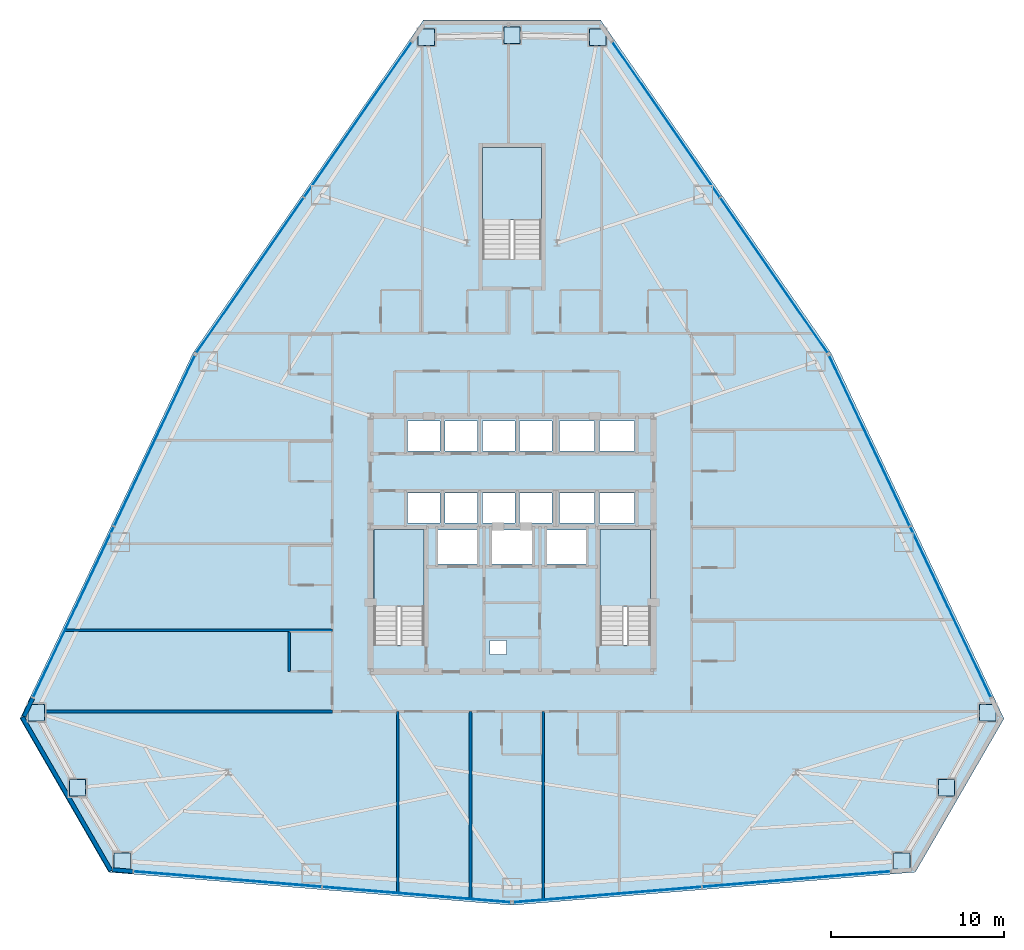
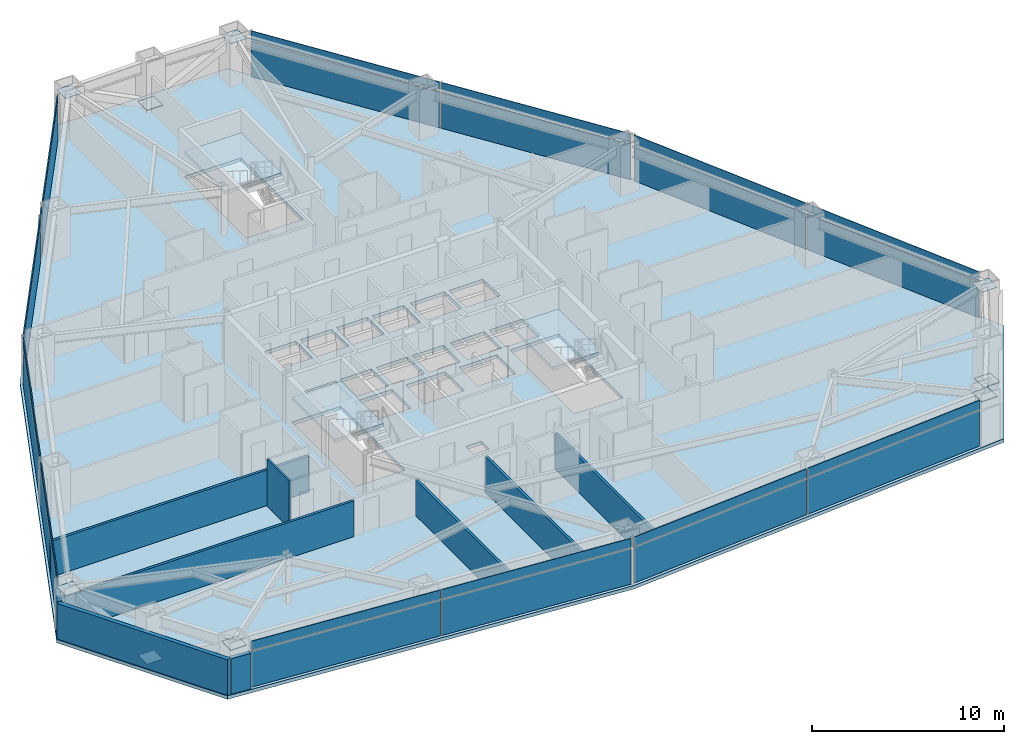
# One storey, part 8 of 13: 33 plates, 9 walls, 4 slabs, 9 elements without a shape of their own.
"""IFC4 building model written with IfcOpenShell, lengths in metres."""

import ifcopenshell
import ifcopenshell.guid

model = None  # the IFC model being written
_history = None  # IfcOwnerHistory: only IFC2X3 demands one
_inside = {}  # id of a spatial element -> (the spatial element, [elements in it])
_under = {}  # id of a project, library or spatial element -> (it, [spatial elements below it])
_declared = {}  # id of a project -> (the project, [libraries it declares])
_typed = {}  # id of a type object -> (the type object, [elements of that type])
_made_of = {}  # id of a material, layer set ... -> (it, [elements and type objects made of it])


def new_model(schema):
    """Start an empty IFC model of exactly this schema.

    Asked for "IFC4X3", IfcOpenShell would pick the latest addendum, in which some entities
    have other attributes; the version numbers below select the first issue.
    IFC2X3 requires an IfcOwnerHistory on every rooted entity: one is made here for all.
    """
    global model, _history
    if schema == "IFC4X3":
        model = ifcopenshell.file(schema_version=(4, 3, 0, 0))
    else:
        model = ifcopenshell.file(schema=schema)
    _inside.clear()
    _under.clear()
    _declared.clear()
    _typed.clear()
    _made_of.clear()
    _history = None
    if model.schema == "IFC2X3":
        org = make("IfcOrganization", Name="unknown")
        user = make(
            "IfcPersonAndOrganization",
            ThePerson=make("IfcPerson", FamilyName="unknown"),
            TheOrganization=org,
        )
        app = make(
            "IfcApplication",
            ApplicationDeveloper=org,
            Version="unknown",
            ApplicationFullName="unknown",
            ApplicationIdentifier="unknown",
        )
        _history = make(
            "IfcOwnerHistory",
            OwningUser=user,
            OwningApplication=app,
            ChangeAction="ADDED",
            CreationDate=0,
        )
    return model


def make(cls, **values):
    """One entity of the class cls with the attributes given. An attribute that is None is left unset."""
    return model.create_entity(
        cls, **{name: value for name, value in values.items() if value is not None}
    )


def rooted(cls, **values):
    """An entity with a GlobalId (a new one), such as an element, a storey or a relation."""
    return make(cls, GlobalId=ifcopenshell.guid.new(), OwnerHistory=_history, **values)


def si_unit(unit_type, name, prefix=None):
    """IfcSIUnit, for example si_unit("LENGTHUNIT", "METRE", prefix="MILLI")."""
    return make("IfcSIUnit", UnitType=unit_type, Prefix=prefix, Name=name)


def assignment(units):
    """IfcUnitAssignment: the units of a project."""
    return None if units is None else make("IfcUnitAssignment", Units=units)


def point(xyz):
    """IfcCartesianPoint."""
    return None if xyz is None else make("IfcCartesianPoint", Coordinates=xyz)


def direction(xyz):
    """IfcDirection."""
    return None if xyz is None else make("IfcDirection", DirectionRatios=xyz)


def frame(location, z_axis=None, x_axis=None):
    """IfcAxis2Placement3D, a coordinate frame: its origin and axes. An axis left out is left unset."""
    return make(
        "IfcAxis2Placement3D",
        Location=point(location),
        Axis=direction(z_axis),
        RefDirection=direction(x_axis),
    )


def frame_2d(location, x_axis=None):
    """IfcAxis2Placement2D, a coordinate frame in the plane: its origin and x axis."""
    return make(
        "IfcAxis2Placement2D", Location=point(location), RefDirection=direction(x_axis)
    )


def origin():
    """The frame at (0, 0, 0) with its axes left unset."""
    return frame((0.0, 0.0, 0.0))


def origin_2d():
    """The frame at (0, 0) in the plane with its x axis left unset."""
    return frame_2d((0.0, 0.0))


def place(relative_to, where):
    """IfcLocalPlacement: puts the frame where relative to a parent placement (None: the world)."""
    return make(
        "IfcLocalPlacement", PlacementRelTo=relative_to, RelativePlacement=where
    )


def context(
    kind, dimensions, precision=None, world=None, true_north=None, identifier=None
):
    """IfcGeometricRepresentationContext, for example the 3D "Model" context."""
    return make(
        "IfcGeometricRepresentationContext",
        ContextIdentifier=identifier,
        ContextType=kind,
        CoordinateSpaceDimension=dimensions,
        Precision=precision,
        WorldCoordinateSystem=world,
        TrueNorth=true_north,
    )


def subcontext(parent, identifier, kind, view, scale=None):
    """IfcGeometricRepresentationSubContext, for example "Body" below "Model"."""
    return make(
        "IfcGeometricRepresentationSubContext",
        ContextIdentifier=identifier,
        ContextType=kind,
        ParentContext=parent,
        TargetScale=scale,
        TargetView=view,
    )


def project(units=None, contexts=None):
    """IfcProject with its units and contexts."""
    return rooted(
        "IfcProject",
        Name="project",
        RepresentationContexts=contexts,
        UnitsInContext=assignment(units),
    )


def spatial(cls, under=None, at=None, **own):
    """A site, building, storey or space (cls), placed at a placement, below another one or the project."""
    s = rooted(cls, ObjectPlacement=at, **own)
    if under is not None:
        _under.setdefault(under.id(), (under, []))[1].append(s)
    return s


def polyline(points):
    """IfcPolyline through the points."""
    return make("IfcPolyline", Points=[point(p) for p in points])


def profile(cls, at=None, kind="AREA", **sizes):
    """A parametric profile (cls). Its sizes go by their IFC names, for example OverallWidth=200.0."""
    return make(cls, ProfileType=kind, Position=at, **sizes)


def rectangle(**sizes):
    """IfcRectangleProfileDef."""
    return profile("IfcRectangleProfileDef", **sizes)


def outline(outer, holes=None, kind="AREA"):
    """IfcArbitraryClosedProfileDef: a profile drawn as a closed curve; with holes, ...WithVoids."""
    if holes is None:
        return make("IfcArbitraryClosedProfileDef", ProfileType=kind, OuterCurve=outer)
    return make(
        "IfcArbitraryProfileDefWithVoids",
        ProfileType=kind,
        OuterCurve=outer,
        InnerCurves=holes,
    )


def extrude(swept, where, along, depth):
    """IfcExtrudedAreaSolid: the profile swept, set in the frame where, extruded along a direction by depth."""
    return make(
        "IfcExtrudedAreaSolid",
        SweptArea=swept,
        Position=where,
        ExtrudedDirection=direction(along),
        Depth=depth,
    )


def shape(context_of_items, identifier, shape_type, items):
    """IfcShapeRepresentation: the items that make up one representation, for example the "Body"."""
    return make(
        "IfcShapeRepresentation",
        ContextOfItems=context_of_items,
        RepresentationIdentifier=identifier,
        RepresentationType=shape_type,
        Items=items,
    )


def source(mapping_origin, context_of_items, identifier, shape_type, items):
    """IfcRepresentationMap: a shape defined once, which mapped items show again and again."""
    return make(
        "IfcRepresentationMap",
        MappingOrigin=mapping_origin,
        MappedRepresentation=shape(context_of_items, identifier, shape_type, items),
    )


def transform(
    local_origin,
    x_axis=None,
    y_axis=None,
    z_axis=None,
    scale=None,
    scale2=None,
    scale3=None,
    uniform=True,
):
    """IfcCartesianTransformationOperator3D, or its non-uniform kind. x_axis, y_axis, z_axis: its Axis1, 2, 3."""
    if uniform:
        return make(
            "IfcCartesianTransformationOperator3D",
            Axis1=direction(x_axis),
            Axis2=direction(y_axis),
            LocalOrigin=point(local_origin),
            Scale=scale,
            Axis3=direction(z_axis),
        )
    return make(
        "IfcCartesianTransformationOperator3DnonUniform",
        Axis1=direction(x_axis),
        Axis2=direction(y_axis),
        LocalOrigin=point(local_origin),
        Scale=scale,
        Axis3=direction(z_axis),
        Scale2=scale2,
        Scale3=scale3,
    )


def mapped(mapping_source, mapping_target):
    """IfcMappedItem: shows the shape of a source again, moved by a transform."""
    return make(
        "IfcMappedItem", MappingSource=mapping_source, MappingTarget=mapping_target
    )


def material(Name=None, Category=None):
    """IfcMaterial."""
    return make("IfcMaterial", Name=Name, Category=Category)


def layer(
    of_material, thickness, ventilated=None, Name=None, Category=None, Priority=None
):
    """IfcMaterialLayer: one layer of a wall or slab, of a material (None: an air gap)."""
    return make(
        "IfcMaterialLayer",
        Material=of_material,
        LayerThickness=thickness,
        IsVentilated=ventilated,
        Name=Name,
        Category=Category,
        Priority=Priority,
    )


def layer_set(layers, Name=None):
    """IfcMaterialLayerSet."""
    return make("IfcMaterialLayerSet", MaterialLayers=layers, LayerSetName=Name)


def made_of(thing, what):
    """Note that an element or type object is made of a material, layer set ...; save() writes the relation."""
    if what is not None:
        _made_of.setdefault(what.id(), (what, []))[1].append(thing)
    return thing


def type_object(cls, material=None, **own):
    """A type object (cls), such as IfcWallType, which elements share."""
    return made_of(rooted(cls, **own), material)


def type_shapes(of_type, sources):
    """Give a type object the sources (RepresentationMaps) that its elements show as mapped items."""
    of_type.RepresentationMaps = sources


def element(
    cls,
    number,
    at=None,
    inside=None,
    cuts=None,
    type_object=None,
    material=None,
    context=None,
    identifier="Body",
    shape_type=None,
    held_by="IfcProductDefinitionShape",
    body=None,
    shapes=None,
    **own,
):
    """One element of the class cls, such as IfcWall. Its Tag is "e" and its number.

    at: its placement. inside: the storey or other place that contains it. cuts: it is an
    opening in that element (IfcRelVoidsElement). A single representation is given by context,
    identifier, shape_type and body (its items); several are given by shapes. held_by: the class
    of the entity that holds the representations. save() writes the other relations.
    """
    e = rooted(cls, Tag="e%d" % number, ObjectPlacement=at, **own)
    if body is not None:
        shapes = [shape(context, identifier, shape_type, body)]
    if shapes is not None:
        e.Representation = make(held_by, Representations=shapes)
    if inside is not None:
        _inside.setdefault(inside.id(), (inside, []))[1].append(e)
    if cuts is not None:
        rooted(
            "IfcRelVoidsElement", RelatingBuildingElement=cuts, RelatedOpeningElement=e
        )
    if type_object is not None:
        _typed.setdefault(type_object.id(), (type_object, []))[1].append(e)
    return made_of(e, material)


def aggregate(whole, parts):
    """IfcRelAggregates: a whole, such as a stair, and the parts it consists of."""
    return rooted("IfcRelAggregates", RelatingObject=whole, RelatedObjects=parts)


def save(model, path):
    """Write the relations noted so far, then the file.

    IfcRelAggregates (storeys below a building ...), IfcRelContainedInSpatialStructure (elements
    in a storey), IfcRelDefinesByType, IfcRelAssociatesMaterial and IfcRelDeclares: one each for
    every whole, place, type object, material and project.
    """
    for whole, parts in _under.values():
        aggregate(whole, parts)
    for where, things in _inside.values():
        rooted(
            "IfcRelContainedInSpatialStructure",
            RelatedElements=things,
            RelatingStructure=where,
        )
    for kind, things in _typed.values():
        rooted("IfcRelDefinesByType", RelatedObjects=things, RelatingType=kind)
    for what, things in _made_of.values():
        rooted("IfcRelAssociatesMaterial", RelatedObjects=things, RelatingMaterial=what)
    for by, libraries in _declared.values():
        rooted("IfcRelDeclares", RelatingContext=by, RelatedDefinitions=libraries)
    model.write(path)


model = new_model("IFC4")

# Units and contexts
model_context = context("Model", 3, precision=1e-05, world=origin(), true_north=direction((0.0, 1.0)))
body_context = subcontext(model_context, "Body", "Model", "MODEL_VIEW")
ifc_project = project(units=[si_unit("LENGTHUNIT", "METRE"), si_unit("AREAUNIT", "SQUARE_METRE"), si_unit("VOLUMEUNIT", "CUBIC_METRE"), si_unit("PLANEANGLEUNIT", "RADIAN"), si_unit("MASSUNIT", "GRAM", prefix="KILO")], contexts=[model_context])

# Site, building, storey
site_placement = place(None, origin())
site = spatial("IfcSite", under=ifc_project, at=site_placement, CompositionType="ELEMENT")
building_placement = place(site_placement, origin())
building = spatial("IfcBuilding", under=site, at=building_placement, Name="Varakhsha Concourse Tower", CompositionType="ELEMENT")
storey_placement = place(building_placement, frame((0.0, 0.0, 49.60009765625)))
storey = spatial("IfcBuildingStorey", under=building, at=storey_placement, Name="L13", CompositionType="ELEMENT", Elevation=49.60009765625)

# Slab
ifc_material_1 = material(Name="Concrete fc 45 MPa", Category="concrete")
ifc_layer_1 = layer(ifc_material_1, 0.219970703125, Name="SL-FLR-220")
ifc_layer_set_1 = layer_set([ifc_layer_1], Name="Concrete fc 45 MPa")
slab_type_1 = type_object("IfcSlabType", Name="SL-FLR-220", PredefinedType="FLOOR", material=ifc_layer_set_1)
slab_1_placement = place(storey_placement, frame((0.0, 0.0, -0.22021484375)))
element("IfcSlab", 1, at=slab_1_placement, inside=storey, type_object=slab_type_1, Name="L13 Composite Structural Slab", PredefinedType="FLOOR", context=body_context, shape_type="SweptSolid", body=[
    extrude(outline(polyline([(45.12841796875, 54.1171875), (34.87158203125, 54.1171875), (21.54248046875, 34.8564453125), (11.52685546875, 13.682861328125), (16.6552734375, 4.800048828125), (40.0, 2.88720703125), (63.3447265625, 4.800048828125), (68.47314453125, 13.682861328125), (58.45751953125, 34.8564453125), (45.12841796875, 54.1171875)]), holes=[polyline([(34.919921875, 17.93994140625), (34.919921875, 24.6298828125), (32.0, 24.6298828125), (32.0, 17.93994140625), (34.919921875, 17.93994140625)]), polyline([(48.02001953125, 17.93994140625), (48.02001953125, 24.6298828125), (45.10009765625, 24.6298828125), (45.10009765625, 17.93994140625), (48.02001953125, 17.93994140625)]), polyline([(41.699951171875, 40.300048828125), (41.699951171875, 46.75), (38.300048828125, 46.75), (38.300048828125, 40.300048828125), (41.699951171875, 40.300048828125)]), polyline([(33.9599609375, 29.159912109375), (35.840087890625, 29.159912109375), (35.840087890625, 30.89990234375), (33.9599609375, 30.89990234375), (33.9599609375, 29.159912109375)]), polyline([(36.1201171875, 29.159912109375), (38.0, 29.159912109375), (38.0, 30.89990234375), (36.1201171875, 30.89990234375), (36.1201171875, 29.159912109375)]), polyline([(38.280029296875, 29.159912109375), (40.159912109375, 29.159912109375), (40.159912109375, 30.89990234375), (38.280029296875, 30.89990234375), (38.280029296875, 29.159912109375)]), polyline([(40.43994140625, 29.159912109375), (42.320068359375, 29.159912109375), (42.320068359375, 30.89990234375), (40.43994140625, 30.89990234375), (40.43994140625, 29.159912109375)]), polyline([(33.9599609375, 25.0), (35.840087890625, 25.0), (35.840087890625, 26.739990234375), (33.9599609375, 26.739990234375), (33.9599609375, 25.0)]), polyline([(36.1201171875, 25.0), (38.0, 25.0), (38.0, 26.739990234375), (36.1201171875, 26.739990234375), (36.1201171875, 25.0)]), polyline([(38.280029296875, 25.0), (40.159912109375, 25.0), (40.159912109375, 26.739990234375), (38.280029296875, 26.739990234375), (38.280029296875, 25.0)]), polyline([(40.43994140625, 25.0), (42.320068359375, 25.0), (42.320068359375, 26.739990234375), (40.43994140625, 26.739990234375), (40.43994140625, 25.0)]), polyline([(42.739990234375, 29.159912109375), (44.780029296875, 29.159912109375), (44.780029296875, 30.89990234375), (42.739990234375, 30.89990234375), (42.739990234375, 29.159912109375)]), polyline([(45.06005859375, 29.159912109375), (47.10009765625, 29.159912109375), (47.10009765625, 30.89990234375), (45.06005859375, 30.89990234375), (45.06005859375, 29.159912109375)]), polyline([(42.739990234375, 25.0), (44.780029296875, 25.0), (44.780029296875, 26.739990234375), (42.739990234375, 26.739990234375), (42.739990234375, 25.0)]), polyline([(45.06005859375, 25.0), (47.10009765625, 25.0), (47.10009765625, 26.739990234375), (45.06005859375, 26.739990234375), (45.06005859375, 25.0)]), polyline([(35.7099609375, 22.639892578125), (37.989990234375, 22.639892578125), (37.989990234375, 24.60009765625), (35.7099609375, 24.60009765625), (35.7099609375, 22.639892578125)]), polyline([(42.010009765625, 22.639892578125), (44.2900390625, 22.639892578125), (44.2900390625, 24.60009765625), (42.010009765625, 24.60009765625), (42.010009765625, 22.639892578125)]), polyline([(38.81005859375, 22.639892578125), (41.18994140625, 22.639892578125), (41.18994140625, 24.60009765625), (38.81005859375, 24.60009765625), (38.81005859375, 22.639892578125)]), polyline([(38.719970703125, 17.39990234375), (39.679931640625, 17.39990234375), (39.679931640625, 18.199951171875), (38.719970703125, 18.199951171875), (38.719970703125, 17.39990234375)])]), origin(), (0.0, 0.0, 1.0), 0.22021484375),
])

# Stair, slab
stair_type_1 = type_object("IfcStairType", Name="ST-DOGLEG-1360", PredefinedType="HALF_TURN_STAIR", material=ifc_material_1)
stair_1_placement = place(storey_placement, origin())
stair_1 = element("IfcStair", 2, at=stair_1_placement, inside=storey, type_object=stair_type_1, Name="L13 Protected Exit Stair ST1", PredefinedType="HALF_TURN_STAIR")
ifc_layer_2 = layer(ifc_material_1, 0.199951171875, Name="SL-LAND-200")
ifc_layer_set_2 = layer_set([ifc_layer_2], Name="Concrete fc 45 MPa")
slab_type_2 = type_object("IfcSlabType", Name="SL-LAND-200", PredefinedType="LANDING", material=ifc_layer_set_2)
slab_2_placement = place(storey_placement, frame((0.0, 0.0, 1.39990234375)))
slab_2 = element("IfcSlab", 3, at=slab_2_placement, type_object=slab_type_2, Name="ST1 landing 1", PredefinedType="LANDING", context=body_context, shape_type="SweptSolid", body=[
    extrude(outline(polyline([(34.919921875, 20.179931640625), (34.919921875, 24.6298828125), (32.0, 24.6298828125), (32.0, 20.179931640625), (34.919921875, 20.179931640625)])), origin(), (0.0, 0.0, 1.0), 0.199951171875),
])
aggregate(stair_1, [slab_2])

stair_2_placement = place(storey_placement, origin())
stair_2 = element("IfcStair", 4, at=stair_2_placement, inside=storey, type_object=stair_type_1, Name="L13 Protected Exit Stair ST2", PredefinedType="HALF_TURN_STAIR")
slab_3_placement = place(storey_placement, frame((0.0, 0.0, 1.39990234375)))
slab_3 = element("IfcSlab", 5, at=slab_3_placement, type_object=slab_type_2, Name="ST2 landing 1", PredefinedType="LANDING", context=body_context, shape_type="SweptSolid", body=[
    extrude(outline(polyline([(48.02001953125, 20.179931640625), (48.02001953125, 24.6298828125), (45.10009765625, 24.6298828125), (45.10009765625, 20.179931640625), (48.02001953125, 20.179931640625)])), origin(), (0.0, 0.0, 1.0), 0.199951171875),
])
aggregate(stair_2, [slab_3])

stair_type_2 = type_object("IfcStairType", Name="ST-DOGLEG-1600", PredefinedType="HALF_TURN_STAIR", material=ifc_material_1)
stair_3_placement = place(storey_placement, origin())
stair_3 = element("IfcStair", 6, at=stair_3_placement, inside=storey, type_object=stair_type_2, Name="L13 Protected Exit Stair ST5", PredefinedType="HALF_TURN_STAIR")
slab_4_placement = place(storey_placement, frame((0.0, 0.0, 1.39990234375)))
slab_4 = element("IfcSlab", 7, at=slab_4_placement, type_object=slab_type_2, Name="ST5 landing 1", PredefinedType="LANDING", context=body_context, shape_type="SweptSolid", body=[
    extrude(outline(polyline([(41.699951171875, 42.5400390625), (41.699951171875, 46.75), (38.300048828125, 46.75), (38.300048828125, 42.5400390625), (41.699951171875, 42.5400390625)])), origin(), (0.0, 0.0, 1.0), 0.199951171875),
])
aggregate(stair_3, [slab_4])

# Plates
ifc_material_2 = material(Name="Structural Steel ASTM A572 Grade 50", Category="steel")
ifc_layer_3 = layer(ifc_material_2, 0.030029296875, Name="PL-ENDCAP-950")
ifc_layer_set_3 = layer_set([ifc_layer_3], Name="Structural Steel ASTM A572 Grade 50")
plate_type_1 = type_object("IfcPlateType", Name="PL-ENDCAP-950", PredefinedType="USERDEFINED", material=ifc_layer_set_3)
shared_shape_1 = source(origin(), body_context, "Body", "SweptSolid", [
    extrude(rectangle(XDim=0.949951171875, YDim=0.949951171875, at=origin_2d()), origin(), (0.0, 0.0, 1.0), 0.030029296875),
])
type_shapes(plate_type_1, [shared_shape_1])
for number, where, z_axis, x_axis, name in (
    (8, (40.0, 53.237060546875, 0.10498046875), (0.0, 0.0, 1.0), (1.0, 0.0, 0.0), "Hollow Section End Cap GP-NODE-L13-0082"),
    (9, (44.95751953125, 53.11962890625, 2.6650390625), (0.0, 0.0, 1.0), (1.0, 0.0, 0.0), "Hollow Section End Cap GP-NODE-L13-0083"),
    (10, (35.04248046875, 53.11962890625, 2.6650390625), (0.0, 0.0, 1.0), (1.0, 0.0, 0.0), "Hollow Section End Cap GP-NODE-L13-0084"),
    (11, (14.853271484375, 9.681396484375, 0.10498046875), (0.0, 0.0, 1.0), (1.0, 0.0, 0.0), "Hollow Section End Cap GP-NODE-L13-0085"),
    (12, (12.47607421875, 14.033447265625, 2.6650390625), (0.0, 0.0, 1.0), (1.0, 0.0, 0.0), "Hollow Section End Cap GP-NODE-L13-0086"),
    (13, (17.43359375, 5.44677734375, 2.6650390625), (0.0, 0.0, 1.0), (1.0, 0.0, 0.0), "Hollow Section End Cap GP-NODE-L13-0087"),
    (14, (65.146728515625, 9.681396484375, 0.10498046875), (0.0, 0.0, 1.0), (1.0, 0.0, 0.0), "Hollow Section End Cap GP-NODE-L13-0088"),
    (15, (62.56640625, 5.44677734375, 2.6650390625), (0.0, 0.0, 1.0), (1.0, 0.0, 0.0), "Hollow Section End Cap GP-NODE-L13-0089"),
    (16, (67.52392578125, 14.033447265625, 2.6650390625), (0.0, 0.0, 1.0), (1.0, 0.0, 0.0), "Hollow Section End Cap GP-NODE-L13-0090"),
):
    element("IfcPlate", number, at=place(storey_placement, frame(where, z_axis=z_axis, x_axis=x_axis)), inside=storey, type_object=plate_type_1, Name=name, ObjectType="END PLATE", PredefinedType="USERDEFINED", context=body_context, shape_type="MappedRepresentation", body=[
        mapped(shared_shape_1, transform((0.0, 0.0, 0.0), scale=1.0)),
    ])

# Curtain wall, plate
ifc_material_3 = material(Name="Anodised Bronze Architectural Aluminium AA 6063-T6", Category="aluminium")
ifc_layer_4 = layer(ifc_material_3, 0.219970703125, Name="CW-SYS-02")
ifc_layer_set_4 = layer_set([ifc_layer_4], Name="Anodised Bronze Architectural Aluminium AA 6063-T6")
curtain_wall_type = type_object("IfcCurtainWallType", Name="CW-SYS-02", PredefinedType="NOTDEFINED", material=ifc_layer_set_4)
curtain_wall_1_placement = place(storey_placement, origin())
curtain_wall_1 = element("IfcCurtainWall", 17, at=curtain_wall_1_placement, inside=storey, type_object=curtain_wall_type, Name="L13 Crystal Curtain Wall F2", PredefinedType="NOTDEFINED")
ifc_material_4 = material(Name="Low-E Triple Insulating Glass IGU 44 mm", Category="glass")
ifc_layer_5 = layer(ifc_material_4, 0.0439453125, Name="CWP-IGU-44")
ifc_layer_set_5 = layer_set([ifc_layer_5], Name="Low-E Triple Insulating Glass IGU 44 mm")
plate_type_2 = type_object("IfcPlateType", Name="CWP-IGU-44", PredefinedType="CURTAIN_PANEL", material=ifc_layer_set_5)
shared_shape_2 = source(origin(), body_context, "Body", "SweptSolid", [
    extrude(rectangle(XDim=10.88232421875, YDim=0.0439453125, at=origin_2d()), origin(), (0.0, 0.0, 1.0), 2.260986328125),
])
plate_1_placement = place(storey_placement, frame((24.83837890625, 39.337890625, 0.0341796875), z_axis=(0.0, 0.0, 1.0), x_axis=(0.569057091236, 0.822298015877, 0.0)))
plate_1 = element("IfcPlate", 18, at=plate_1_placement, type_object=plate_type_2, Name="CW-L13-F2 Panel 00-00", PredefinedType="CURTAIN_PANEL", context=body_context, shape_type="MappedRepresentation", body=[
    mapped(shared_shape_2, transform((0.0, 0.0, 0.0), scale=1.0)),
])

# Curtain wall, plates
curtain_wall_2_placement = place(storey_placement, origin())
curtain_wall_2 = element("IfcCurtainWall", 19, at=curtain_wall_2_placement, inside=storey, type_object=curtain_wall_type, Name="L13 Crystal Curtain Wall F3", PredefinedType="NOTDEFINED")
plate_2_placement = place(storey_placement, frame((14.622314453125, 19.8525390625, 0.0341796875), z_axis=(0.0, 0.0, 1.0), x_axis=(0.427604003332, 0.903966158844, 0.0)))
plate_2 = element("IfcPlate", 20, at=plate_2_placement, type_object=plate_type_2, Name="CW-L13-F3 Panel 00-00", PredefinedType="CURTAIN_PANEL", context=body_context, shape_type="MappedRepresentation", body=[
    mapped(shared_shape_2, transform((0.0, 0.0, 0.0), scale=1.0)),
])
plate_3_placement = place(storey_placement, frame((19.309326171875, 29.76123046875, 0.0341796875), z_axis=(0.0, 0.0, 1.0), x_axis=(0.427604003332, 0.903966158844, 0.0)))
plate_3 = element("IfcPlate", 21, at=plate_3_placement, type_object=plate_type_2, Name="CW-L13-F3 Panel 01-00", PredefinedType="CURTAIN_PANEL", context=body_context, shape_type="MappedRepresentation", body=[
    mapped(shared_shape_2, transform((0.0, 0.0, 0.0), scale=1.0)),
])

# Curtain wall, plate
curtain_wall_3_placement = place(storey_placement, origin())
curtain_wall_3 = element("IfcCurtainWall", 22, at=curtain_wall_3_placement, inside=storey, type_object=curtain_wall_type, Name="L13 Crystal Curtain Wall F5", PredefinedType="NOTDEFINED")
plate_4_placement = place(storey_placement, frame((34.470947265625, 3.500732421875, 0.0341796875), z_axis=(0.0, 0.0, 1.0), x_axis=(-0.996659944452, 0.081663670777, 0.0)))
plate_4 = element("IfcPlate", 23, at=plate_4_placement, type_object=plate_type_2, Name="CW-L13-F5 Panel 00-00", PredefinedType="CURTAIN_PANEL", context=body_context, shape_type="MappedRepresentation", body=[
    mapped(shared_shape_2, transform((0.0, 0.0, 0.0), scale=1.0)),
])

curtain_wall_4_placement = place(storey_placement, origin())
curtain_wall_4 = element("IfcCurtainWall", 24, at=curtain_wall_4_placement, inside=storey, type_object=curtain_wall_type, Name="L13 Crystal Curtain Wall F6", PredefinedType="NOTDEFINED")
plate_5_placement = place(storey_placement, frame((56.4541015625, 4.39599609375, 0.0341796875), z_axis=(0.0, 0.0, 1.0), x_axis=(-0.996659944452, -0.081663670777, 0.0)))
plate_5 = element("IfcPlate", 25, at=plate_5_placement, type_object=plate_type_2, Name="CW-L13-F6 Panel 00-00", PredefinedType="CURTAIN_PANEL", context=body_context, shape_type="MappedRepresentation", body=[
    mapped(shared_shape_2, transform((0.0, 0.0, 0.0), scale=1.0)),
])

# Curtain wall, plates
curtain_wall_5_placement = place(storey_placement, origin())
curtain_wall_5 = element("IfcCurtainWall", 26, at=curtain_wall_5_placement, inside=storey, type_object=curtain_wall_type, Name="L13 Crystal Curtain Wall F8", PredefinedType="NOTDEFINED")
plate_6_placement = place(storey_placement, frame((60.690673828125, 29.76123046875, 0.0341796875), z_axis=(0.0, 0.0, 1.0), x_axis=(0.427604003332, -0.903966158844, 0.0)))
plate_6 = element("IfcPlate", 27, at=plate_6_placement, type_object=plate_type_2, Name="CW-L13-F8 Panel 00-00", PredefinedType="CURTAIN_PANEL", context=body_context, shape_type="MappedRepresentation", body=[
    mapped(shared_shape_2, transform((0.0, 0.0, 0.0), scale=1.0)),
])
plate_7_placement = place(storey_placement, frame((65.377685546875, 19.8525390625, 0.0341796875), z_axis=(0.0, 0.0, 1.0), x_axis=(0.427604003332, -0.903966158844, 0.0)))
plate_7 = element("IfcPlate", 28, at=plate_7_placement, type_object=plate_type_2, Name="CW-L13-F8 Panel 01-00", PredefinedType="CURTAIN_PANEL", context=body_context, shape_type="MappedRepresentation", body=[
    mapped(shared_shape_2, transform((0.0, 0.0, 0.0), scale=1.0)),
])

# Curtain wall, plate
curtain_wall_6_placement = place(storey_placement, origin())
curtain_wall_6 = element("IfcCurtainWall", 29, at=curtain_wall_6_placement, inside=storey, type_object=curtain_wall_type, Name="L13 Crystal Curtain Wall F9", PredefinedType="NOTDEFINED")
plate_8_placement = place(storey_placement, frame((48.923828125, 48.3515625, 0.0341796875), z_axis=(0.0, 0.0, 1.0), x_axis=(0.569057091236, -0.822298015877, 0.0)))
plate_8 = element("IfcPlate", 30, at=plate_8_placement, type_object=plate_type_2, Name="CW-L13-F9 Panel 00-00", PredefinedType="CURTAIN_PANEL", context=body_context, shape_type="MappedRepresentation", body=[
    mapped(shared_shape_2, transform((0.0, 0.0, 0.0), scale=1.0)),
])

# Plate
ifc_material_5 = material(Name="Glazed Turquoise-Bronze Ceramic Spandrel Panel 38 mm", Category="ceramic")
ifc_layer_6 = layer(ifc_material_5, 0.0380859375, Name="CWP-SPN-38")
ifc_layer_set_6 = layer_set([ifc_layer_6], Name="Glazed Turquoise-Bronze Ceramic Spandrel Panel 38 mm")
plate_type_3 = type_object("IfcPlateType", Name="CWP-SPN-38", PredefinedType="USERDEFINED", material=ifc_layer_set_6)
shared_shape_3 = source(origin(), body_context, "Body", "SweptSolid", [
    extrude(rectangle(XDim=10.88232421875, YDim=0.0380859375, at=origin_2d()), origin(), (0.0, 0.0, 1.0), 0.5810546875),
])
plate_9_placement = place(storey_placement, frame((24.83837890625, 39.337890625, 2.3642578125), z_axis=(0.0, 0.0, 1.0), x_axis=(0.569057091236, 0.822298015877, 0.0)))
plate_9 = element("IfcPlate", 31, at=plate_9_placement, type_object=plate_type_3, Name="CW-L13-F2 Panel 00-01", ObjectType="SPANDREL", PredefinedType="USERDEFINED", context=body_context, shape_type="MappedRepresentation", body=[
    mapped(shared_shape_3, transform((0.0, 0.0, 0.0), scale=1.0)),
])

plate_10_placement = place(storey_placement, frame((14.622314453125, 19.8525390625, 2.3642578125), z_axis=(0.0, 0.0, 1.0), x_axis=(0.427604003332, 0.903966158844, 0.0)))
plate_10 = element("IfcPlate", 32, at=plate_10_placement, type_object=plate_type_3, Name="CW-L13-F3 Panel 00-01", ObjectType="SPANDREL", PredefinedType="USERDEFINED", context=body_context, shape_type="MappedRepresentation", body=[
    mapped(shared_shape_3, transform((0.0, 0.0, 0.0), scale=1.0)),
])

plate_11_placement = place(storey_placement, frame((19.309326171875, 29.76123046875, 2.3642578125), z_axis=(0.0, 0.0, 1.0), x_axis=(0.427604003332, 0.903966158844, 0.0)))
plate_11 = element("IfcPlate", 33, at=plate_11_placement, type_object=plate_type_3, Name="CW-L13-F3 Panel 01-01", ObjectType="SPANDREL", PredefinedType="USERDEFINED", context=body_context, shape_type="MappedRepresentation", body=[
    mapped(shared_shape_3, transform((0.0, 0.0, 0.0), scale=1.0)),
])

aggregate(curtain_wall_2, [plate_2, plate_10, plate_3, plate_11])

plate_12_placement = place(storey_placement, frame((34.470947265625, 3.500732421875, 2.3642578125), z_axis=(0.0, 0.0, 1.0), x_axis=(-0.996659944452, 0.081663670777, 0.0)))
plate_12 = element("IfcPlate", 34, at=plate_12_placement, type_object=plate_type_3, Name="CW-L13-F5 Panel 00-01", ObjectType="SPANDREL", PredefinedType="USERDEFINED", context=body_context, shape_type="MappedRepresentation", body=[
    mapped(shared_shape_3, transform((0.0, 0.0, 0.0), scale=1.0)),
])

plate_13_placement = place(storey_placement, frame((56.4541015625, 4.39599609375, 2.3642578125), z_axis=(0.0, 0.0, 1.0), x_axis=(-0.996659944452, -0.081663670777, 0.0)))
plate_13 = element("IfcPlate", 35, at=plate_13_placement, type_object=plate_type_3, Name="CW-L13-F6 Panel 00-01", ObjectType="SPANDREL", PredefinedType="USERDEFINED", context=body_context, shape_type="MappedRepresentation", body=[
    mapped(shared_shape_3, transform((0.0, 0.0, 0.0), scale=1.0)),
])

plate_14_placement = place(storey_placement, frame((60.690673828125, 29.76123046875, 2.3642578125), z_axis=(0.0, 0.0, 1.0), x_axis=(0.427604003332, -0.903966158844, 0.0)))
plate_14 = element("IfcPlate", 36, at=plate_14_placement, type_object=plate_type_3, Name="CW-L13-F8 Panel 00-01", ObjectType="SPANDREL", PredefinedType="USERDEFINED", context=body_context, shape_type="MappedRepresentation", body=[
    mapped(shared_shape_3, transform((0.0, 0.0, 0.0), scale=1.0)),
])

plate_15_placement = place(storey_placement, frame((65.377685546875, 19.8525390625, 2.3642578125), z_axis=(0.0, 0.0, 1.0), x_axis=(0.427604003332, -0.903966158844, 0.0)))
plate_15 = element("IfcPlate", 37, at=plate_15_placement, type_object=plate_type_3, Name="CW-L13-F8 Panel 01-01", ObjectType="SPANDREL", PredefinedType="USERDEFINED", context=body_context, shape_type="MappedRepresentation", body=[
    mapped(shared_shape_3, transform((0.0, 0.0, 0.0), scale=1.0)),
])

aggregate(curtain_wall_5, [plate_6, plate_14, plate_7, plate_15])

plate_16_placement = place(storey_placement, frame((48.923828125, 48.3515625, 2.3642578125), z_axis=(0.0, 0.0, 1.0), x_axis=(0.569057091236, -0.822298015877, 0.0)))
plate_16 = element("IfcPlate", 38, at=plate_16_placement, type_object=plate_type_3, Name="CW-L13-F9 Panel 00-01", ObjectType="SPANDREL", PredefinedType="USERDEFINED", context=body_context, shape_type="MappedRepresentation", body=[
    mapped(shared_shape_3, transform((0.0, 0.0, 0.0), scale=1.0)),
])

shared_shape_4 = source(origin(), body_context, "Body", "SweptSolid", [
    extrude(rectangle(XDim=10.882568359375, YDim=0.0439453125, at=origin_2d()), origin(), (0.0, 0.0, 1.0), 2.260986328125),
])
type_shapes(plate_type_2, [shared_shape_2, shared_shape_4])
plate_17_placement = place(storey_placement, frame((31.076171875, 48.3515625, 0.0341796875), z_axis=(0.0, 0.0, 1.0), x_axis=(0.569057091236, 0.822298015877, 0.0)))
plate_17 = element("IfcPlate", 39, at=plate_17_placement, type_object=plate_type_2, Name="CW-L13-F2 Panel 01-00", PredefinedType="CURTAIN_PANEL", context=body_context, shape_type="MappedRepresentation", body=[
    mapped(shared_shape_4, transform((0.0, 0.0, 0.0), scale=1.0)),
])

plate_18_placement = place(storey_placement, frame((23.546142578125, 4.39599609375, 0.0341796875), z_axis=(0.0, 0.0, 1.0), x_axis=(-0.996659944452, 0.081663670777, 0.0)))
plate_18 = element("IfcPlate", 40, at=plate_18_placement, type_object=plate_type_2, Name="CW-L13-F5 Panel 01-00", PredefinedType="CURTAIN_PANEL", context=body_context, shape_type="MappedRepresentation", body=[
    mapped(shared_shape_4, transform((0.0, 0.0, 0.0), scale=1.0)),
])

plate_19_placement = place(storey_placement, frame((45.529296875, 3.500732421875, 0.0341796875), z_axis=(0.0, 0.0, 1.0), x_axis=(-0.996659944452, -0.081663670777, 0.0)))
plate_19 = element("IfcPlate", 41, at=plate_19_placement, type_object=plate_type_2, Name="CW-L13-F6 Panel 01-00", PredefinedType="CURTAIN_PANEL", context=body_context, shape_type="MappedRepresentation", body=[
    mapped(shared_shape_4, transform((0.0, 0.0, 0.0), scale=1.0)),
])

plate_20_placement = place(storey_placement, frame((55.16162109375, 39.337890625, 0.0341796875), z_axis=(0.0, 0.0, 1.0), x_axis=(0.569057091236, -0.822298015877, 0.0)))
plate_20 = element("IfcPlate", 42, at=plate_20_placement, type_object=plate_type_2, Name="CW-L13-F9 Panel 01-00", PredefinedType="CURTAIN_PANEL", context=body_context, shape_type="MappedRepresentation", body=[
    mapped(shared_shape_4, transform((0.0, 0.0, 0.0), scale=1.0)),
])

shared_shape_5 = source(origin(), body_context, "Body", "SweptSolid", [
    extrude(rectangle(XDim=10.882568359375, YDim=0.0380859375, at=origin_2d()), origin(), (0.0, 0.0, 1.0), 0.5810546875),
])
type_shapes(plate_type_3, [shared_shape_3, shared_shape_5])
plate_21_placement = place(storey_placement, frame((31.076171875, 48.3515625, 2.3642578125), z_axis=(0.0, 0.0, 1.0), x_axis=(0.569057091236, 0.822298015877, 0.0)))
plate_21 = element("IfcPlate", 43, at=plate_21_placement, type_object=plate_type_3, Name="CW-L13-F2 Panel 01-01", ObjectType="SPANDREL", PredefinedType="USERDEFINED", context=body_context, shape_type="MappedRepresentation", body=[
    mapped(shared_shape_5, transform((0.0, 0.0, 0.0), scale=1.0)),
])

aggregate(curtain_wall_1, [plate_1, plate_9, plate_17, plate_21])

plate_22_placement = place(storey_placement, frame((23.546142578125, 4.39599609375, 2.3642578125), z_axis=(0.0, 0.0, 1.0), x_axis=(-0.996659944452, 0.081663670777, 0.0)))
plate_22 = element("IfcPlate", 44, at=plate_22_placement, type_object=plate_type_3, Name="CW-L13-F5 Panel 01-01", ObjectType="SPANDREL", PredefinedType="USERDEFINED", context=body_context, shape_type="MappedRepresentation", body=[
    mapped(shared_shape_5, transform((0.0, 0.0, 0.0), scale=1.0)),
])

aggregate(curtain_wall_3, [plate_4, plate_12, plate_18, plate_22])

plate_23_placement = place(storey_placement, frame((45.529296875, 3.500732421875, 2.3642578125), z_axis=(0.0, 0.0, 1.0), x_axis=(-0.996659944452, -0.081663670777, 0.0)))
plate_23 = element("IfcPlate", 45, at=plate_23_placement, type_object=plate_type_3, Name="CW-L13-F6 Panel 01-01", ObjectType="SPANDREL", PredefinedType="USERDEFINED", context=body_context, shape_type="MappedRepresentation", body=[
    mapped(shared_shape_5, transform((0.0, 0.0, 0.0), scale=1.0)),
])

aggregate(curtain_wall_4, [plate_5, plate_13, plate_19, plate_23])

plate_24_placement = place(storey_placement, frame((55.16162109375, 39.337890625, 2.3642578125), z_axis=(0.0, 0.0, 1.0), x_axis=(0.569057091236, -0.822298015877, 0.0)))
plate_24 = element("IfcPlate", 46, at=plate_24_placement, type_object=plate_type_3, Name="CW-L13-F9 Panel 01-01", ObjectType="SPANDREL", PredefinedType="USERDEFINED", context=body_context, shape_type="MappedRepresentation", body=[
    mapped(shared_shape_5, transform((0.0, 0.0, 0.0), scale=1.0)),
])

aggregate(curtain_wall_6, [plate_8, plate_16, plate_20, plate_24])

# Walls
ifc_layer_7 = layer(ifc_material_1, 0.239990234375, Name="WL-EXT-CRN-240")
ifc_layer_set_7 = layer_set([ifc_layer_7], Name="Concrete fc 45 MPa")
wall_type_1 = type_object("IfcWallType", Name="WL-EXT-CRN-240", PredefinedType="SHEAR", material=ifc_layer_set_7)
wall_1_placement = place(storey_placement, frame((12.2626953125, 14.8642578125, 0.0), z_axis=(0.0, 0.0, 1.0), x_axis=(-0.42778841273, -0.903878904463, 0.0)))
element("IfcWall", 47, at=wall_1_placement, inside=storey, type_object=wall_type_1, Name="L13 Wind-Corner Shoulder Wall F3", PredefinedType="SHEAR", context=body_context, shape_type="SweptSolid", body=[
    extrude(rectangle(XDim=1.16259765625, YDim=0.239990234375, at=frame_2d((0.581298828125, 0.0))), origin(), (0.0, 0.0, 1.0), 2.262939453125),
])
wall_2_placement = place(storey_placement, frame((16.7939453125, 4.8798828125, 0.0), z_axis=(0.0, 0.0, 1.0), x_axis=(-0.50000197177, 0.86602426538, 0.0)))
element("IfcWall", 48, at=wall_2_placement, inside=storey, type_object=wall_type_1, Name="L13 Chamfer Wind-Corner Insulated Wall F4", PredefinedType="SHEAR", context=body_context, shape_type="SweptSolid", body=[
    extrude(rectangle(XDim=10.25732421875, YDim=0.239990234375, at=frame_2d((5.128662109375, 0.0))), origin(), (0.0, 0.0, 1.0), 2.262939453125),
])
wall_3_placement = place(storey_placement, frame((16.8876953125, 4.94140625, 0.0), z_axis=(0.0, 0.0, 1.0), x_axis=(0.996673482789, -0.081498274251, 0.0)))
element("IfcWall", 49, at=wall_3_placement, inside=storey, type_object=wall_type_1, Name="L13 Wind-Corner Shoulder Wall F5", PredefinedType="SHEAR", context=body_context, shape_type="SweptSolid", body=[
    extrude(rectangle(XDim=1.162353515625, YDim=0.239990234375, at=frame_2d((0.5810546875, 0.0))), origin(), (0.0, 0.0, 1.0), 2.262939453125),
])
ifc_material_6 = material(Name="Acoustic Gypsum Board Partition Assembly", Category="gypsum")
ifc_layer_8 = layer(ifc_material_6, 0.1201171875, Name="WL-PART-120")
ifc_layer_set_8 = layer_set([ifc_layer_8], Name="Acoustic Gypsum Board Partition Assembly")
wall_type_2 = type_object("IfcWallType", Name="WL-PART-120", PredefinedType="PARTITIONING", material=ifc_layer_set_8)
wall_4_placement = place(storey_placement, frame((27.110107421875, 16.409912109375, 0.0), z_axis=(0.0, 0.0, 1.0), x_axis=(0.0, 1.0, 0.0)))
element("IfcWall", 50, at=wall_4_placement, inside=storey, type_object=wall_type_2, Name="L13 Wall ENSW-W-L13-H06", PredefinedType="PARTITIONING", context=body_context, shape_type="SweptSolid", body=[
    extrude(rectangle(XDim=2.280029296875, YDim=0.1201171875, at=frame_2d((1.14013671875, 0.0))), origin(), (0.0, 0.0, 1.0), 2.97998046875),
])
ifc_material_7 = material(Name="Fire-Rated Type X Gypsum Partition Assembly", Category="gypsum")
ifc_layer_9 = layer(ifc_material_7, 0.14990234375, Name="WL-PART-150")
ifc_layer_set_9 = layer_set([ifc_layer_9], Name="Fire-Rated Type X Gypsum Partition Assembly")
wall_type_3 = type_object("IfcWallType", Name="WL-PART-150", PredefinedType="PARTITIONING", material=ifc_layer_set_9)
wall_5_placement = place(storey_placement, frame((33.39990234375, 3.593505859375, 0.0), z_axis=(0.0, 0.0, 1.0), x_axis=(0.0, 1.0, 0.0)))
element("IfcWall", 51, at=wall_5_placement, inside=storey, type_object=wall_type_3, Name="L13 Wall HDIV-S1-L13", PredefinedType="PARTITIONING", context=body_context, shape_type="SweptSolid", body=[
    extrude(rectangle(XDim=10.506591796875, YDim=0.14990234375, at=frame_2d((5.25341796875, 0.0))), origin(), (0.0, 0.0, 1.0), 2.267822265625),
])
wall_6_placement = place(storey_placement, frame((37.60009765625, 3.24951171875, 0.0), z_axis=(0.0, 0.0, 1.0), x_axis=(0.0, 1.0, 0.0)))
element("IfcWall", 52, at=wall_6_placement, inside=storey, type_object=wall_type_3, Name="L13 Wall HDIV-S2-L13", PredefinedType="PARTITIONING", context=body_context, shape_type="SweptSolid", body=[
    extrude(rectangle(XDim=10.8505859375, YDim=0.14990234375, at=frame_2d((5.42529296875, 0.0))), origin(), (0.0, 0.0, 1.0), 2.267822265625),
])
wall_7_placement = place(storey_placement, frame((41.800048828125, 3.2001953125, 0.0), z_axis=(0.0, 0.0, 1.0), x_axis=(0.0, 1.0, 0.0)))
element("IfcWall", 53, at=wall_7_placement, inside=storey, type_object=wall_type_3, Name="L13 Wall HDIV-S3-L13", PredefinedType="PARTITIONING", context=body_context, shape_type="SweptSolid", body=[
    extrude(rectangle(XDim=10.89990234375, YDim=0.14990234375, at=frame_2d((5.449951171875, 0.0))), origin(), (0.0, 0.0, 1.0), 2.267822265625),
])
wall_8_placement = place(storey_placement, frame((11.906494140625, 14.10009765625, 0.0), z_axis=(0.0, 0.0, 1.0), x_axis=(1.0, 0.0, 0.0)))
element("IfcWall", 54, at=wall_8_placement, inside=storey, type_object=wall_type_3, Name="L13 Wall HDIV-WB0-L13", PredefinedType="PARTITIONING", context=body_context, shape_type="SweptSolid", body=[
    extrude(rectangle(XDim=17.693603515625, YDim=0.14990234375, at=frame_2d((8.8466796875, 0.0))), origin(), (0.0, 0.0, 1.0), 2.267822265625),
])
wall_9_placement = place(storey_placement, frame((14.1298828125, 18.800048828125, 0.0), z_axis=(0.0, 0.0, 1.0), x_axis=(1.0, 0.0, 0.0)))
element("IfcWall", 55, at=wall_9_placement, inside=storey, type_object=wall_type_3, Name="L13 Wall HDIV-W1-L13", PredefinedType="PARTITIONING", context=body_context, shape_type="SweptSolid", body=[
    extrude(rectangle(XDim=15.47021484375, YDim=0.14990234375, at=frame_2d((7.735107421875, 0.0))), origin(), (0.0, 0.0, 1.0), 2.267822265625),
])

save(model, "model.ifc")
